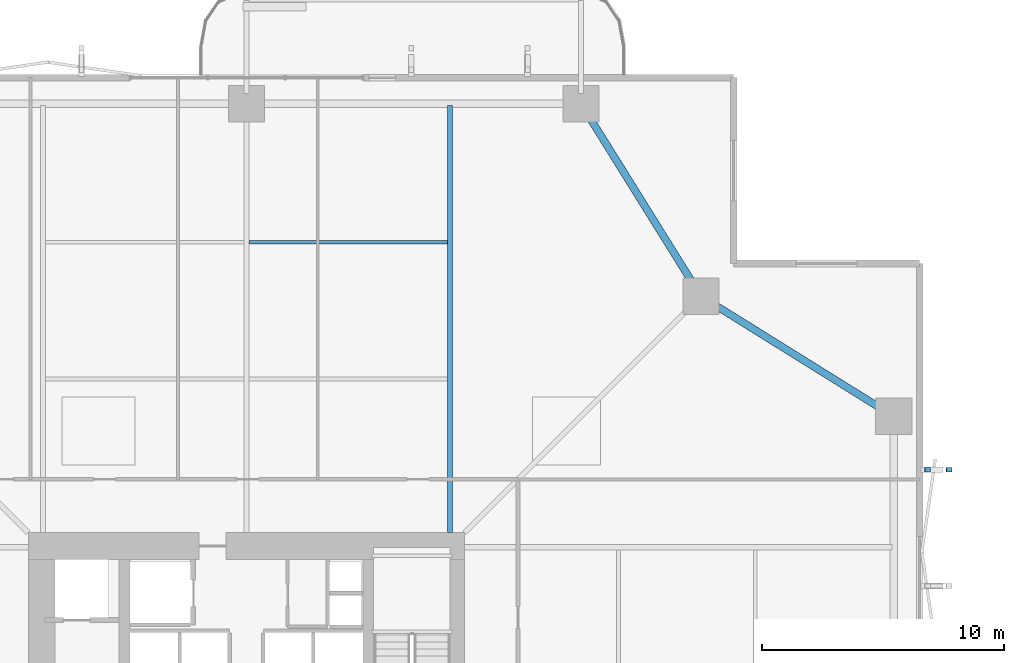
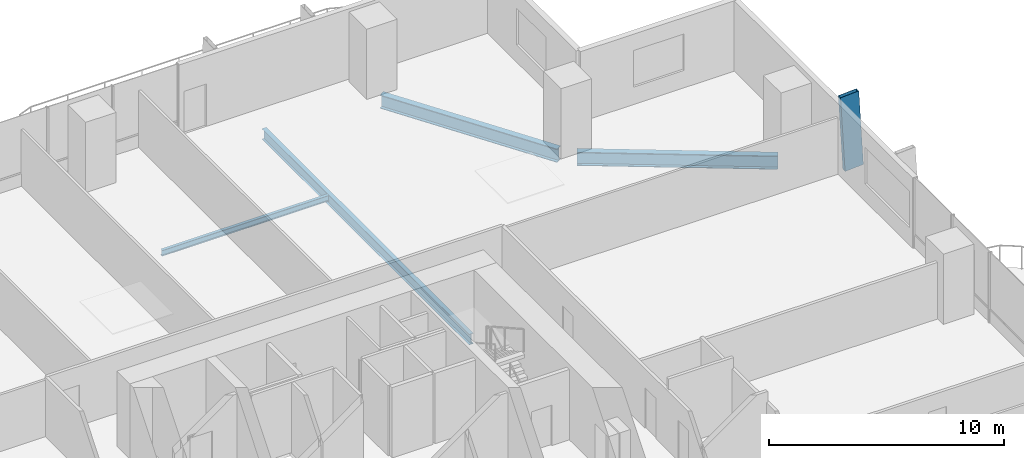
# One storey, part 14 of 23: 4 beams, 1 member.
"""IFC4 building model written with IfcOpenShell, lengths in metres."""

from ifc_helpers import new_model, si_unit, direction, frame, origin, origin_2d, place, context, subcontext, project, spatial, hollow_rectangle, i_section, extrude, material, material_profile, profile_set, type_object, element, save


model = new_model("IFC4")

# Units and contexts
model_context = context("Model", 3, precision=1e-05, world=origin(), true_north=direction((0.0, 1.0)))
body_context = subcontext(model_context, "Body", "Model", "MODEL_VIEW")
ifc_project = project(units=[si_unit("LENGTHUNIT", "METRE"), si_unit("AREAUNIT", "SQUARE_METRE"), si_unit("VOLUMEUNIT", "CUBIC_METRE"), si_unit("PLANEANGLEUNIT", "RADIAN"), si_unit("MASSUNIT", "GRAM", prefix="KILO")], contexts=[model_context])

# Site, building, storey
site_placement = place(None, origin())
site = spatial("IfcSite", under=ifc_project, at=site_placement, CompositionType="ELEMENT")
building_placement = place(site_placement, origin())
building = spatial("IfcBuilding", under=site, at=building_placement, Name="Belovzor Exchange Tower", CompositionType="ELEMENT")
storey_placement = place(building_placement, frame((0.0, 0.0, 88.5)))
storey = spatial("IfcBuildingStorey", under=building, at=storey_placement, Name="L21", CompositionType="ELEMENT", Elevation=88.5)

# Beam
ifc_material_1 = material(Name="Steel S355", Category="steel")
ifc_material_profile_1 = material_profile(ifc_material_1, i_section(OverallWidth=0.14990234375, OverallDepth=0.300048828125, WebThickness=0.007080078125, FlangeThickness=0.0107421875, at=origin_2d()))
ifc_profile_set_1 = profile_set([ifc_material_profile_1], Name="Steel S355")
beam_type_1 = type_object("IfcBeamType", Name="Secondary Trim Floor Joist IPE 300", PredefinedType="BEAM", material=ifc_profile_set_1)
beam_1_placement = place(storey_placement, frame((28.905029296875, 49.784912109375, -0.39990234375), z_axis=(1.0, 0.0, 0.0), x_axis=(0.0, 1.0, 0.0)))
element("IfcBeam", 1, at=beam_1_placement, inside=storey, type_object=beam_type_1, Name="FJ-300 Secondary Trim Floor Joist IPE 300", PredefinedType="BEAM", context=body_context, shape_type="SweptSolid", body=[
    extrude(i_section(OverallWidth=0.14990234375, OverallDepth=0.300048828125, WebThickness=0.007080078125, FlangeThickness=0.0107421875, at=origin_2d()), origin(), (0.0, 0.0, 1.0), 8.18994140625),
])

# Member
ifc_material_2 = material(Name="Extruded Architectural Terracotta on Steel S355 Carrier", Category="masonry")
ifc_material_profile_2 = material_profile(ifc_material_2, hollow_rectangle(XDim=0.199951171875, YDim=0.89990234375, WallThickness=0.011962890625, at=origin_2d()))
ifc_profile_set_2 = profile_set([ifc_material_profile_2], Name="Extruded Architectural Terracotta on Steel S355 Carrier")
member_type = type_object("IfcMemberType", Name="Sweeping Terracotta Baguette Fin Assembly 1250", PredefinedType="USERDEFINED", material=ifc_profile_set_2)
member_placement = place(storey_placement, frame((57.449951171875, 40.39990234375, -0.25), z_axis=(-0.057560598171, 0.0, 0.998342014311), x_axis=(0.0, -1.0, 0.0)))
element("IfcMember", 2, at=member_placement, inside=storey, type_object=member_type, Name="FIN-TC125 Terracotta Facade Fin L21 E4", ObjectType="FIN", PredefinedType="USERDEFINED", context=body_context, shape_type="SweptSolid", body=[
    extrude(hollow_rectangle(XDim=0.199951171875, YDim=0.89990234375, WallThickness=0.011962890625, at=origin_2d()), origin(), (0.0, 0.0, 1.0), 3.906494140625),
])

# Beams
ifc_material_3 = material(Name="Steel S355", Category="steel")
ifc_material_profile_3 = material_profile(ifc_material_3, i_section(OverallWidth=0.300048828125, OverallDepth=0.699951171875, WebThickness=0.01708984375, FlangeThickness=0.031982421875, at=origin_2d()))
ifc_profile_set_3 = profile_set([ifc_material_profile_3], Name="Steel S355")
beam_type_2 = type_object("IfcBeamType", Name="Zone 1 Primary Perimeter Girder HEB 700", PredefinedType="BEAM", material=ifc_profile_set_3)
for number, where, z_axis, x_axis, name in (
    (3, (55.14990234375, 42.818115234375, -0.60009765625), (-0.848909251292, 0.528538629686, 0.0), (-0.528538629686, -0.848909251292, 0.0), "FG-Z1 Zone 1 Primary Perimeter Girder HEB 700"),
    (4, (47.33203125, 47.89990234375, -0.60009765625), (-0.528538629686, 0.848909251292, 0.0), (-0.848909251292, -0.528538629686, 0.0), "FG-Z1 Zone 1 Primary Perimeter Girder HEB 700"),
):
    element("IfcBeam", number, at=place(storey_placement, frame(where, z_axis=z_axis, x_axis=x_axis)), inside=storey, type_object=beam_type_2, Name=name, PredefinedType="BEAM", context=body_context, shape_type="SweptSolid", body=[
        extrude(i_section(OverallWidth=0.300048828125, OverallDepth=0.699951171875, WebThickness=0.01708984375, FlangeThickness=0.031982421875, at=origin_2d()), origin(), (0.0, 0.0, 1.0), 8.540283203125),
    ])
ifc_material_4 = material(Name="Steel S355", Category="steel")
ifc_material_profile_4 = material_profile(ifc_material_4, i_section(OverallWidth=0.2099609375, OverallDepth=0.550048828125, WebThickness=0.010986328125, FlangeThickness=0.01708984375, at=origin_2d()))
ifc_profile_set_4 = profile_set([ifc_material_profile_4], Name="Steel S355")
beam_type_3 = type_object("IfcBeamType", Name="Zone 1 Radial Composite Floor Beam IPE 550", PredefinedType="BEAM", material=ifc_profile_set_4)
beam_2_placement = place(storey_placement, frame((37.199951171875, 37.800048828125, -0.52490234375), z_axis=(0.0, 1.0, 0.0), x_axis=(-1.0, 0.0, 0.0)))
element("IfcBeam", 5, at=beam_2_placement, inside=storey, type_object=beam_type_3, Name="FB-550 Zone 1 Radial Composite Floor Beam IPE 550", PredefinedType="BEAM", context=body_context, shape_type="SweptSolid", body=[
    extrude(i_section(OverallWidth=0.2099609375, OverallDepth=0.550048828125, WebThickness=0.010986328125, FlangeThickness=0.01708984375, at=origin_2d()), origin(), (0.0, 0.0, 1.0), 17.625),
])

save(model, "model.ifc")
